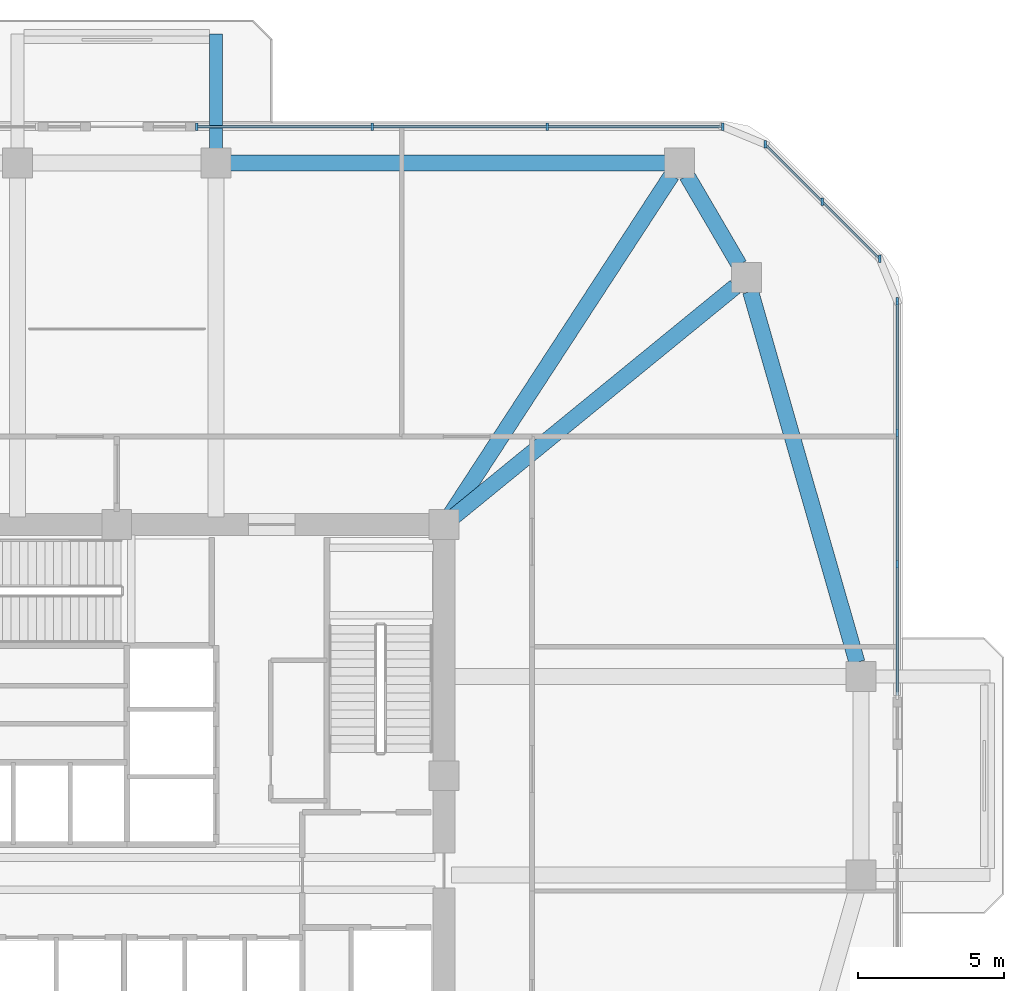
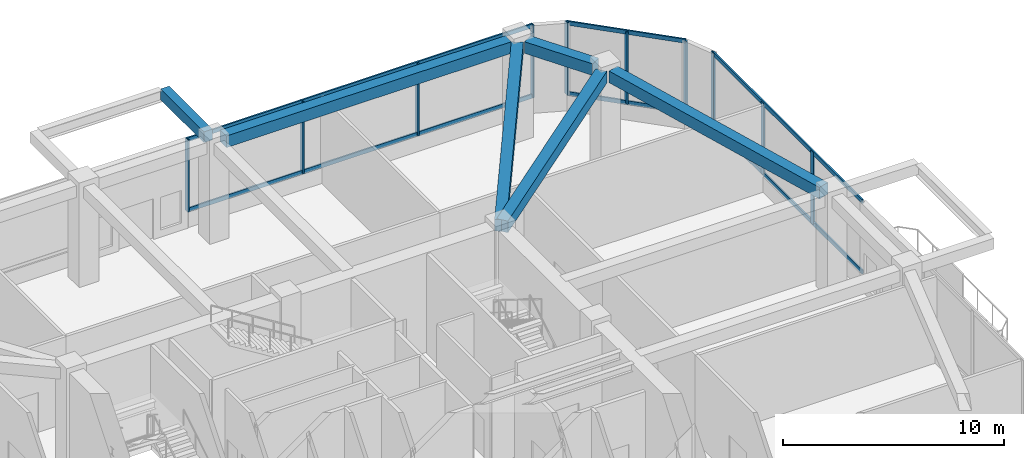
# One storey, part 5 of 13: 16 members, 6 beams, 3 elements without a shape of their own.
"""IFC4 building model written with IfcOpenShell, lengths in metres."""

from ifc_helpers import new_model, si_unit, derived_unit, direction, frame, origin, origin_2d, place, context, subcontext, project, spatial, rectangle, extrude, material, material_profile, profile_set, type_object, element, aggregate, save


model = new_model("IFC4")

# Units and contexts
model_context = context("Model", 3, precision=1e-05, world=origin(), true_north=direction((0.0, 1.0)))
body_context = subcontext(model_context, "Body", "Model", "MODEL_VIEW")
ifc_project = project(units=[si_unit("LENGTHUNIT", "METRE"), si_unit("AREAUNIT", "SQUARE_METRE"), si_unit("VOLUMEUNIT", "CUBIC_METRE"), si_unit("PLANEANGLEUNIT", "RADIAN"), si_unit("MASSUNIT", "GRAM", prefix="KILO"), derived_unit("THERMALTRANSMITTANCEUNIT", [(si_unit("POWERUNIT", "WATT"), 1), (si_unit("LENGTHUNIT", "METRE"), -2), (si_unit("THERMODYNAMICTEMPERATUREUNIT", "KELVIN"), -1)])], contexts=[model_context])

# Site, building, storey
site_placement = place(None, origin())
site = spatial("IfcSite", under=ifc_project, at=site_placement, CompositionType="ELEMENT")
building_placement = place(site_placement, origin())
building = spatial("IfcBuilding", under=site, at=building_placement, Name="Koralith Skygarden Medical Center", CompositionType="ELEMENT")
storey_placement = place(building_placement, frame((0.0, 0.0, 75.419921875)))
storey = spatial("IfcBuildingStorey", under=building, at=storey_placement, Name="L19", CompositionType="ELEMENT", Elevation=75.419921875)

# Curtain wall, members
ifc_material_1 = material(Name="Clear Laminated Glass", Category="glass")
curtain_wall_type = type_object("IfcCurtainWallType", Name="CW-7 Sky-Garden & Pool Conservatory Wall", PredefinedType="NOTDEFINED", material=ifc_material_1)
curtain_wall_1_placement = place(storey_placement, origin())
curtain_wall_1 = element("IfcCurtainWall", 1, at=curtain_wall_1_placement, inside=storey, type_object=curtain_wall_type, Name="Curtain Wall CW-L19-E-R", PredefinedType="NOTDEFINED")
ifc_material_2 = material(Name="Aluminium 6063-T6", Category="aluminium")
ifc_material_profile_1 = material_profile(ifc_material_2, rectangle(XDim=0.0859375, YDim=0.25, at=origin_2d()), Name="MUL86X250")
ifc_profile_set_1 = profile_set([ifc_material_profile_1], Name="Aluminium 6063-T6")
member_type_1 = type_object("IfcMemberType", Name="CW-7 Extruded Mullion 86x250", PredefinedType="MULLION", material=ifc_profile_set_1)
member_1_placement = place(storey_placement, frame((63.719970703125, 33.14111328125, 0.85009765625), z_axis=(0.0, 0.0, 1.0), x_axis=(1.0, 0.0, 0.0)))
member_1 = element("IfcMember", 2, at=member_1_placement, type_object=member_type_1, Name="CW-L19-E-R Mullion 2", PredefinedType="MULLION", context=body_context, shape_type="SweptSolid", body=[
    extrude(rectangle(XDim=0.0859375, YDim=0.25, at=origin_2d()), origin(), (0.0, 0.0, 1.0), 3.97998046875),
])
member_2_placement = place(storey_placement, frame((63.719970703125, 37.64306640625, 0.85009765625), z_axis=(0.0, 0.0, 1.0), x_axis=(1.0, 0.0, 0.0)))
member_2 = element("IfcMember", 3, at=member_2_placement, type_object=member_type_1, Name="CW-L19-E-R Mullion 3", PredefinedType="MULLION", context=body_context, shape_type="SweptSolid", body=[
    extrude(rectangle(XDim=0.0859375, YDim=0.25, at=origin_2d()), origin(), (0.0, 0.0, 1.0), 3.97998046875),
])
member_3_placement = place(storey_placement, frame((63.719970703125, 42.14501953125, 0.85009765625), z_axis=(0.0, 0.0, 1.0), x_axis=(1.0, 0.0, 0.0)))
member_3 = element("IfcMember", 4, at=member_3_placement, type_object=member_type_1, Name="CW-L19-E-R Mullion 4", PredefinedType="MULLION", context=body_context, shape_type="SweptSolid", body=[
    extrude(rectangle(XDim=0.0859375, YDim=0.25, at=origin_2d()), origin(), (0.0, 0.0, 1.0), 3.97998046875),
])

curtain_wall_2_placement = place(storey_placement, origin())
curtain_wall_2 = element("IfcCurtainWall", 5, at=curtain_wall_2_placement, inside=storey, type_object=curtain_wall_type, Name="Curtain Wall CW-L19-NE", PredefinedType="NOTDEFINED")
member_4_placement = place(storey_placement, frame((63.118896484375, 43.595947265625, 0.85009765625), z_axis=(0.0, 0.0, 1.0), x_axis=(1.0, 0.0, 0.0)))
member_4 = element("IfcMember", 6, at=member_4_placement, type_object=member_type_1, Name="CW-L19-NE Mullion 1", PredefinedType="MULLION", context=body_context, shape_type="SweptSolid", body=[
    extrude(rectangle(XDim=0.0859375, YDim=0.25, at=origin_2d()), origin(), (0.0, 0.0, 1.0), 3.97998046875),
])
member_5_placement = place(storey_placement, frame((61.156982421875, 45.556884765625, 0.85009765625), z_axis=(0.0, 0.0, 1.0), x_axis=(1.0, 0.0, 0.0)))
member_5 = element("IfcMember", 7, at=member_5_placement, type_object=member_type_1, Name="CW-L19-NE Mullion 2", PredefinedType="MULLION", context=body_context, shape_type="SweptSolid", body=[
    extrude(rectangle(XDim=0.0859375, YDim=0.25, at=origin_2d()), origin(), (0.0, 0.0, 1.0), 3.97998046875),
])
member_6_placement = place(storey_placement, frame((59.196044921875, 47.51904296875, 0.85009765625), z_axis=(0.0, 0.0, 1.0), x_axis=(1.0, 0.0, 0.0)))
member_6 = element("IfcMember", 8, at=member_6_placement, type_object=member_type_1, Name="CW-L19-NE Mullion 3", PredefinedType="MULLION", context=body_context, shape_type="SweptSolid", body=[
    extrude(rectangle(XDim=0.0859375, YDim=0.25, at=origin_2d()), origin(), (0.0, 0.0, 1.0), 3.97998046875),
])

curtain_wall_3_placement = place(storey_placement, origin())
curtain_wall_3 = element("IfcCurtainWall", 9, at=curtain_wall_3_placement, inside=storey, type_object=curtain_wall_type, Name="Curtain Wall CW-L19-N-L", PredefinedType="NOTDEFINED")
member_7_placement = place(storey_placement, frame((57.7451171875, 48.1201171875, 0.85009765625), z_axis=(0.0, 0.0, 1.0), x_axis=(1.0, 0.0, 0.0)))
member_7 = element("IfcMember", 10, at=member_7_placement, type_object=member_type_1, Name="CW-L19-N-L Mullion 1", PredefinedType="MULLION", context=body_context, shape_type="SweptSolid", body=[
    extrude(rectangle(XDim=0.0859375, YDim=0.25, at=origin_2d()), origin(), (0.0, 0.0, 1.0), 3.97998046875),
])
member_8_placement = place(storey_placement, frame((51.743896484375, 48.1201171875, 0.85009765625), z_axis=(0.0, 0.0, 1.0), x_axis=(1.0, 0.0, 0.0)))
member_8 = element("IfcMember", 11, at=member_8_placement, type_object=member_type_1, Name="CW-L19-N-L Mullion 2", PredefinedType="MULLION", context=body_context, shape_type="SweptSolid", body=[
    extrude(rectangle(XDim=0.0859375, YDim=0.25, at=origin_2d()), origin(), (0.0, 0.0, 1.0), 3.97998046875),
])
member_9_placement = place(storey_placement, frame((45.741943359375, 48.1201171875, 0.85009765625), z_axis=(0.0, 0.0, 1.0), x_axis=(1.0, 0.0, 0.0)))
member_9 = element("IfcMember", 12, at=member_9_placement, type_object=member_type_1, Name="CW-L19-N-L Mullion 3", PredefinedType="MULLION", context=body_context, shape_type="SweptSolid", body=[
    extrude(rectangle(XDim=0.0859375, YDim=0.25, at=origin_2d()), origin(), (0.0, 0.0, 1.0), 3.97998046875),
])
member_10_placement = place(storey_placement, frame((39.740966796875, 48.1201171875, 0.85009765625), z_axis=(0.0, 0.0, 1.0), x_axis=(1.0, 0.0, 0.0)))
member_10 = element("IfcMember", 13, at=member_10_placement, type_object=member_type_1, Name="CW-L19-N-L Mullion 4", PredefinedType="MULLION", context=body_context, shape_type="SweptSolid", body=[
    extrude(rectangle(XDim=0.0859375, YDim=0.25, at=origin_2d()), origin(), (0.0, 0.0, 1.0), 3.97998046875),
])

# Member
ifc_material_profile_2 = material_profile(ifc_material_2, rectangle(XDim=0.0810546875, YDim=0.22509765625, at=origin_2d()), Name="TRN81X225")
ifc_profile_set_2 = profile_set([ifc_material_profile_2], Name="Aluminium 6063-T6")
member_type_2 = type_object("IfcMemberType", Name="CW-7 Thermal Transom 81x225", PredefinedType="USERDEFINED", material=ifc_profile_set_2)
member_11_placement = place(storey_placement, frame((63.719970703125, 28.638916015625, 0.900146484375), z_axis=(0.0, 1.0, 0.0), x_axis=(-1.0, 0.0, 0.0)))
member_11 = element("IfcMember", 14, at=member_11_placement, type_object=member_type_2, Name="CW-L19-E-R Transom 1", ObjectType="TRANSOM", PredefinedType="USERDEFINED", context=body_context, shape_type="SweptSolid", body=[
    extrude(rectangle(XDim=0.0810546875, YDim=0.22509765625, at=origin_2d()), origin(), (0.0, 0.0, 1.0), 13.506103515625),
])

member_12_placement = place(storey_placement, frame((63.719970703125, 28.638916015625, 4.780029296875), z_axis=(0.0, 1.0, 0.0), x_axis=(-1.0, 0.0, 0.0)))
member_12 = element("IfcMember", 15, at=member_12_placement, type_object=member_type_2, Name="CW-L19-E-R Transom 2", ObjectType="TRANSOM", PredefinedType="USERDEFINED", context=body_context, shape_type="SweptSolid", body=[
    extrude(rectangle(XDim=0.0810546875, YDim=0.22509765625, at=origin_2d()), origin(), (0.0, 0.0, 1.0), 13.506103515625),
])

aggregate(curtain_wall_1, [member_1, member_2, member_3, member_11, member_12])

member_13_placement = place(storey_placement, frame((63.118896484375, 43.595947265625, 0.900146484375), z_axis=(-0.707084777957, 0.707128783731, 0.0), x_axis=(-0.707128783731, -0.707084777957, 0.0)))
member_13 = element("IfcMember", 16, at=member_13_placement, type_object=member_type_2, Name="CW-L19-NE Transom 1", ObjectType="TRANSOM", PredefinedType="USERDEFINED", context=body_context, shape_type="SweptSolid", body=[
    extrude(rectangle(XDim=0.0810546875, YDim=0.22509765625, at=origin_2d()), origin(), (0.0, 0.0, 1.0), 5.5478515625),
])

member_14_placement = place(storey_placement, frame((63.118896484375, 43.595947265625, 4.780029296875), z_axis=(-0.707084777957, 0.707128783731, 0.0), x_axis=(-0.707128783731, -0.707084777957, 0.0)))
member_14 = element("IfcMember", 17, at=member_14_placement, type_object=member_type_2, Name="CW-L19-NE Transom 2", ObjectType="TRANSOM", PredefinedType="USERDEFINED", context=body_context, shape_type="SweptSolid", body=[
    extrude(rectangle(XDim=0.0810546875, YDim=0.22509765625, at=origin_2d()), origin(), (0.0, 0.0, 1.0), 5.5478515625),
])

aggregate(curtain_wall_2, [member_4, member_5, member_6, member_13, member_14])

member_15_placement = place(storey_placement, frame((57.7451171875, 48.1201171875, 0.900146484375), z_axis=(-1.0, 0.0, 0.0), x_axis=(0.0, -1.0, 0.0)))
member_15 = element("IfcMember", 18, at=member_15_placement, type_object=member_type_2, Name="CW-L19-N-L Transom 1", ObjectType="TRANSOM", PredefinedType="USERDEFINED", context=body_context, shape_type="SweptSolid", body=[
    extrude(rectangle(XDim=0.0810546875, YDim=0.22509765625, at=origin_2d()), origin(), (0.0, 0.0, 1.0), 18.004150390625),
])

member_16_placement = place(storey_placement, frame((57.7451171875, 48.1201171875, 4.780029296875), z_axis=(-1.0, 0.0, 0.0), x_axis=(0.0, -1.0, 0.0)))
member_16 = element("IfcMember", 19, at=member_16_placement, type_object=member_type_2, Name="CW-L19-N-L Transom 2", ObjectType="TRANSOM", PredefinedType="USERDEFINED", context=body_context, shape_type="SweptSolid", body=[
    extrude(rectangle(XDim=0.0810546875, YDim=0.22509765625, at=origin_2d()), origin(), (0.0, 0.0, 1.0), 18.004150390625),
])

aggregate(curtain_wall_3, [member_7, member_8, member_9, member_10, member_15, member_16])

# Beams
ifc_material_3 = material(Name="Concrete C45/55", Category="concrete")
ifc_material_profile_3 = material_profile(ifc_material_3, rectangle(XDim=0.449951171875, YDim=0.60009765625, at=origin_2d()), Name="RCB450X600")
ifc_profile_set_3 = profile_set([ifc_material_profile_3], Name="Concrete C45/55")
beam_type_1 = type_object("IfcBeamType", Name="Planted Balcony Cantilever Beam RCB450X600", PredefinedType="BEAM", material=ifc_profile_set_3)
beam_1_placement = place(storey_placement, frame((40.39990234375, 47.3701171875, 5.2001953125), z_axis=(0.0, 1.0, 0.0), x_axis=(-1.0, 0.0, 0.0)))
element("IfcBeam", 20, at=beam_1_placement, inside=storey, type_object=beam_type_1, Name="L20 N Balcony Cantilever Beam B", PredefinedType="BEAM", context=body_context, shape_type="SweptSolid", body=[
    extrude(rectangle(XDim=0.449951171875, YDim=0.60009765625, at=origin_2d()), origin(), (0.0, 0.0, 1.0), 3.919921875),
])
ifc_material_profile_4 = material_profile(ifc_material_3, rectangle(XDim=0.550048828125, YDim=0.639892578125, at=origin_2d()), Name="RCB550X640")
ifc_profile_set_4 = profile_set([ifc_material_profile_4], Name="Concrete C45/55")
beam_type_2 = type_object("IfcBeamType", Name="Radial Collector Beam RCB550X640", PredefinedType="BEAM", material=ifc_profile_set_4)
beam_2_placement = place(storey_placement, frame((48.39404296875, 34.657958984375, 5.16015625), z_axis=(0.774537653753, 0.632527804067, 0.0), x_axis=(-0.632527804067, 0.774537653753, 0.0)))
element("IfcBeam", 21, at=beam_2_placement, inside=storey, type_object=beam_type_2, Name="L19 Radial Collector Beam RB-10", PredefinedType="BEAM", context=body_context, shape_type="SweptSolid", body=[
    extrude(rectangle(XDim=0.550048828125, YDim=0.639892578125, at=origin_2d()), origin(), (0.0, 0.0, 1.0), 12.625732421875),
])
beam_3_placement = place(storey_placement, frame((48.3359375, 34.708984375, 5.16015625), z_axis=(0.546010797592, 0.83777813824, 0.0), x_axis=(-0.83777813824, 0.546010797592, 0.0)))
element("IfcBeam", 22, at=beam_3_placement, inside=storey, type_object=beam_type_2, Name="L19 Radial Collector Beam RB-11", PredefinedType="BEAM", context=body_context, shape_type="SweptSolid", body=[
    extrude(rectangle(XDim=0.550048828125, YDim=0.639892578125, at=origin_2d()), origin(), (0.0, 0.0, 1.0), 14.027587890625),
])
ifc_material_profile_5 = material_profile(ifc_material_3, rectangle(XDim=0.550048828125, YDim=0.639892578125, at=origin_2d()), Name="RCB550X640")
ifc_profile_set_5 = profile_set([ifc_material_profile_5], Name="Concrete C45/55")
beam_type_3 = type_object("IfcBeamType", Name="Zone 2-3 Spandrel Beam RCB550X640", PredefinedType="SPANDREL", material=ifc_profile_set_5)
beam_4_placement = place(storey_placement, frame((62.342041015625, 29.781005859375, 5.16015625), z_axis=(-0.275843733572, 0.961202494092, 0.0), x_axis=(-0.961202494092, -0.275843733572, 0.0)))
element("IfcBeam", 23, at=beam_4_placement, inside=storey, type_object=beam_type_3, Name="L19 Perimeter Spandrel Beam SP-09", PredefinedType="SPANDREL", context=body_context, shape_type="SweptSolid", body=[
    extrude(rectangle(XDim=0.550048828125, YDim=0.639892578125, at=origin_2d()), origin(), (0.0, 0.0, 1.0), 13.21044921875),
])
beam_5_placement = place(storey_placement, frame((58.30810546875, 43.39208984375, 5.16015625), z_axis=(-0.50502386975, 0.863105376523, 0.0), x_axis=(-0.863105376523, -0.50502386975, 0.0)))
element("IfcBeam", 24, at=beam_5_placement, inside=storey, type_object=beam_type_3, Name="L19 Perimeter Spandrel Beam SP-10", PredefinedType="SPANDREL", context=body_context, shape_type="SweptSolid", body=[
    extrude(rectangle(XDim=0.550048828125, YDim=0.639892578125, at=origin_2d()), origin(), (0.0, 0.0, 1.0), 3.54052734375),
])
beam_6_placement = place(storey_placement, frame((55.76806640625, 46.8798828125, 5.16015625), z_axis=(-1.0, 0.0, 0.0), x_axis=(0.0, -1.0, 0.0)))
element("IfcBeam", 25, at=beam_6_placement, inside=storey, type_object=beam_type_3, Name="L19 Perimeter Spandrel Beam SP-11", PredefinedType="SPANDREL", context=body_context, shape_type="SweptSolid", body=[
    extrude(rectangle(XDim=0.550048828125, YDim=0.639892578125, at=origin_2d()), origin(), (0.0, 0.0, 1.0), 14.8681640625),
])

save(model, "model.ifc")
